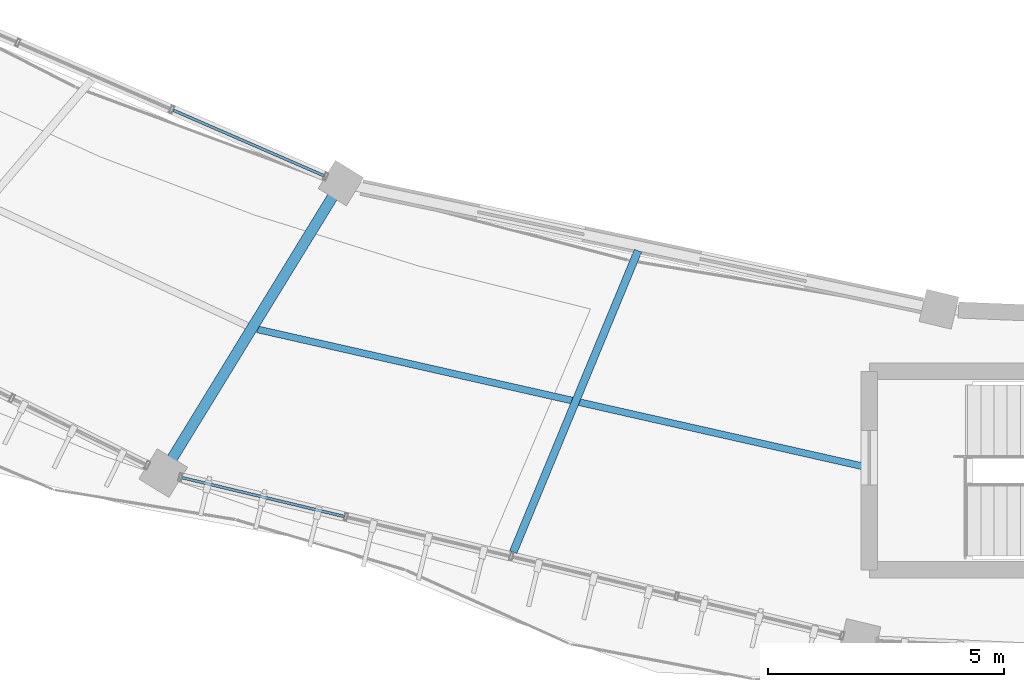
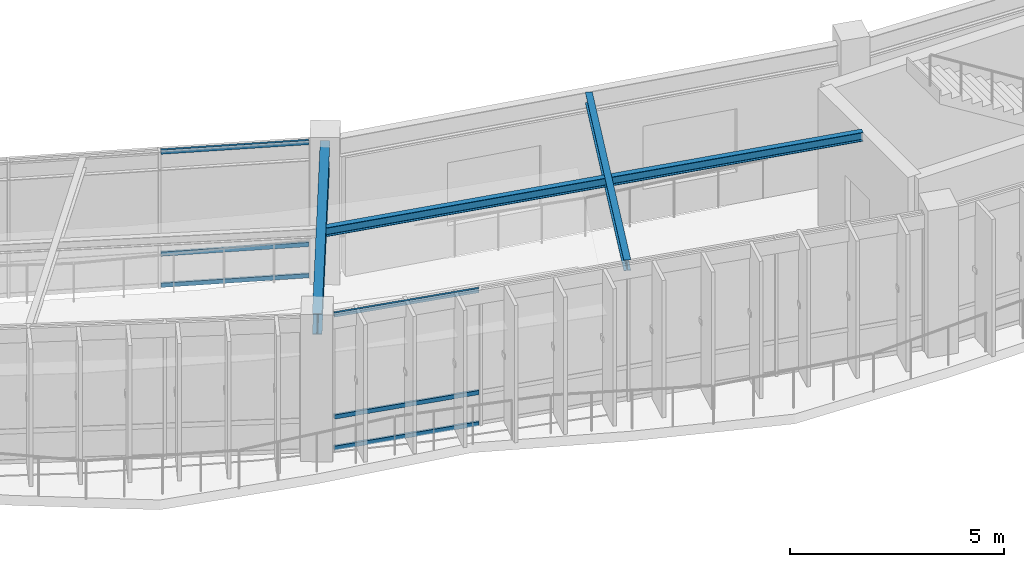
# One storey, part 61 of 152: 6 members, 3 beams, 2 elements without a shape of their own.
"""IFC4 building model written with IfcOpenShell, lengths in metres."""

from ifc_helpers import new_model, si_unit, direction, frame, origin, origin_2d, place, context, subcontext, project, spatial, hollow_rectangle, i_section, extrude, material, material_profile, profile_set, type_object, element, aggregate, save


model = new_model("IFC4")

# Units and contexts
model_context = context("Model", 3, precision=1e-05, world=origin(), true_north=direction((0.0, 1.0)))
body_context = subcontext(model_context, "Body", "Model", "MODEL_VIEW")
ifc_project = project(units=[si_unit("LENGTHUNIT", "METRE"), si_unit("AREAUNIT", "SQUARE_METRE"), si_unit("VOLUMEUNIT", "CUBIC_METRE"), si_unit("PLANEANGLEUNIT", "RADIAN"), si_unit("MASSUNIT", "GRAM", prefix="KILO"), si_unit("THERMODYNAMICTEMPERATUREUNIT", "KELVIN"), si_unit("POWERUNIT", "WATT")], contexts=[model_context])

# Site, building, storey
site_placement = place(None, origin())
site = spatial("IfcSite", under=ifc_project, at=site_placement, CompositionType="ELEMENT")
building_placement = place(site_placement, origin())
building = spatial("IfcBuilding", under=site, at=building_placement, Name="Darbajah Civic Hall", CompositionType="ELEMENT")
storey_placement = place(building_placement, frame((0.0, 0.0, 5.39990234375)))
storey = spatial("IfcBuildingStorey", under=building, at=storey_placement, Name="L01", CompositionType="ELEMENT", Elevation=5.39990234375)

# Curtain wall, members
ifc_material_1 = material(Name="Anodised Bronze Aluminium and Low-E Glazing", Category="aluminium")
curtain_wall_type_1 = type_object("IfcCurtainWallType", Name="Unitised Curtain Wall CW-19 10700x3900", PredefinedType="USERDEFINED", material=ifc_material_1)
curtain_wall_1_placement = place(storey_placement, origin())
curtain_wall_1 = element("IfcCurtainWall", 1, at=curtain_wall_1_placement, inside=storey, type_object=curtain_wall_type_1, Name="L01 unitised curtain wall CW-V1I-L01-12", ObjectType="UNITISED CURTAIN WALL", PredefinedType="USERDEFINED")
ifc_material_2 = material(Name="Anodised Bronze Aluminium", Category="aluminium")
ifc_material_profile_1 = material_profile(ifc_material_2, hollow_rectangle(XDim=0.06005859375, YDim=0.1201171875, WallThickness=0.003173828125, at=origin_2d()), Name="ALU TRANSOM 60x120")
ifc_profile_set_1 = profile_set([ifc_material_profile_1], Name="Anodised Bronze Aluminium")
member_type = type_object("IfcMemberType", Name="ALU TRANSOM 60x120", PredefinedType="USERDEFINED", material=ifc_profile_set_1)
member_1_placement = place(storey_placement, frame((62.66552734375, 72.329345703125, 0.06005859375), z_axis=(0.91705111066, -0.398769683448, 0.0), x_axis=(0.398769683448, 0.91705111066, 0.0)))
member_1 = element("IfcMember", 2, at=member_1_placement, type_object=member_type, Name="CW-V1I-L01-12 transom 3.1", ObjectType="TRANSOM", PredefinedType="USERDEFINED", context=body_context, shape_type="SweptSolid", body=[
    extrude(hollow_rectangle(XDim=0.06005859375, YDim=0.1201171875, WallThickness=0.003173828125, at=origin_2d()), origin(), (0.0, 0.0, 1.0), 3.48291015625),
])
member_2_placement = place(storey_placement, frame((62.66552734375, 72.329345703125, 0.9501953125), z_axis=(0.91705111066, -0.398769683448, 0.0), x_axis=(0.398769683448, 0.91705111066, 0.0)))
member_2 = element("IfcMember", 3, at=member_2_placement, type_object=member_type, Name="CW-V1I-L01-12 transom 3.2", ObjectType="TRANSOM", PredefinedType="USERDEFINED", context=body_context, shape_type="SweptSolid", body=[
    extrude(hollow_rectangle(XDim=0.06005859375, YDim=0.1201171875, WallThickness=0.003173828125, at=origin_2d()), origin(), (0.0, 0.0, 1.0), 3.48291015625),
])
member_3_placement = place(storey_placement, frame((62.66552734375, 72.329345703125, 3.860107421875), z_axis=(0.91705111066, -0.398769683448, 0.0), x_axis=(0.398769683448, 0.91705111066, 0.0)))
member_3 = element("IfcMember", 4, at=member_3_placement, type_object=member_type, Name="CW-V1I-L01-12 transom 3.3", ObjectType="TRANSOM", PredefinedType="USERDEFINED", context=body_context, shape_type="SweptSolid", body=[
    extrude(hollow_rectangle(XDim=0.06005859375, YDim=0.1201171875, WallThickness=0.003173828125, at=origin_2d()), origin(), (0.0, 0.0, 1.0), 3.48291015625),
])
aggregate(curtain_wall_1, [member_1, member_2, member_3])

curtain_wall_type_2 = type_object("IfcCurtainWallType", Name="Unitised Curtain Wall CW-31 14400x3900", PredefinedType="USERDEFINED", material=ifc_material_1)
curtain_wall_2_placement = place(storey_placement, origin())
curtain_wall_2 = element("IfcCurtainWall", 5, at=curtain_wall_2_placement, inside=storey, type_object=curtain_wall_type_2, Name="L01 unitised curtain wall CW-V1O-L01-13", ObjectType="UNITISED CURTAIN WALL", PredefinedType="USERDEFINED")
member_4_placement = place(storey_placement, frame((62.853271484375, 64.551025390625, 0.06005859375), z_axis=(0.97249451467, -0.232925779889, 0.0), x_axis=(0.232925779889, 0.97249451467, 0.0)))
member_4 = element("IfcMember", 6, at=member_4_placement, type_object=member_type, Name="CW-V1O-L01-13 transom 1.1", ObjectType="TRANSOM", PredefinedType="USERDEFINED", context=body_context, shape_type="SweptSolid", body=[
    extrude(hollow_rectangle(XDim=0.06005859375, YDim=0.1201171875, WallThickness=0.003173828125, at=origin_2d()), origin(), (0.0, 0.0, 1.0), 3.53125),
])
member_5_placement = place(storey_placement, frame((62.853271484375, 64.551025390625, 0.9501953125), z_axis=(0.97249451467, -0.232925779889, 0.0), x_axis=(0.232925779889, 0.97249451467, 0.0)))
member_5 = element("IfcMember", 7, at=member_5_placement, type_object=member_type, Name="CW-V1O-L01-13 transom 1.2", ObjectType="TRANSOM", PredefinedType="USERDEFINED", context=body_context, shape_type="SweptSolid", body=[
    extrude(hollow_rectangle(XDim=0.06005859375, YDim=0.1201171875, WallThickness=0.003173828125, at=origin_2d()), origin(), (0.0, 0.0, 1.0), 3.53125),
])
member_6_placement = place(storey_placement, frame((62.853271484375, 64.551025390625, 3.860107421875), z_axis=(0.97249451467, -0.232925779889, 0.0), x_axis=(0.232925779889, 0.97249451467, 0.0)))
member_6 = element("IfcMember", 8, at=member_6_placement, type_object=member_type, Name="CW-V1O-L01-13 transom 1.3", ObjectType="TRANSOM", PredefinedType="USERDEFINED", context=body_context, shape_type="SweptSolid", body=[
    extrude(hollow_rectangle(XDim=0.06005859375, YDim=0.1201171875, WallThickness=0.003173828125, at=origin_2d()), origin(), (0.0, 0.0, 1.0), 3.53125),
])
aggregate(curtain_wall_2, [member_4, member_5, member_6])

# Beams
ifc_material_3 = material(Name="Steel S355JR", Category="steel")
ifc_material_profile_2 = material_profile(ifc_material_3, i_section(OverallWidth=0.146484375, OverallDepth=0.256103515625, WebThickness=0.00634765625, FlangeThickness=0.010986328125, FilletRadius=0.007568359375, at=origin_2d()), Name="UB 254x146x37")
ifc_profile_set_2 = profile_set([ifc_material_profile_2], Name="Steel S355JR")
beam_type_1 = type_object("IfcBeamType", Name="UB 254x146x37", PredefinedType="JOIST", material=ifc_profile_set_2)
beam_1_placement = place(storey_placement, frame((64.44677734375, 67.69091796875, 3.7919921875), z_axis=(0.975333080849, -0.220738264473, 0.0), x_axis=(0.220738264473, 0.975333080849, 0.0)))
element("IfcBeam", 9, at=beam_1_placement, inside=storey, type_object=beam_type_1, Name="L01 beam SJ-254", PredefinedType="JOIST", context=body_context, shape_type="SweptSolid", body=[
    extrude(i_section(OverallWidth=0.146484375, OverallDepth=0.256103515625, WebThickness=0.00634765625, FlangeThickness=0.010986328125, FilletRadius=0.007568359375, at=origin_2d()), origin(), (0.0, 0.0, 1.0), 13.13720703125),
])
ifc_material_profile_3 = material_profile(ifc_material_3, i_section(OverallWidth=0.165771484375, OverallDepth=0.306640625, WebThickness=0.006591796875, FlangeThickness=0.01171875, FilletRadius=0.0087890625, at=origin_2d()), Name="UB 305x165x46")
ifc_profile_set_3 = profile_set([ifc_material_profile_3], Name="Steel S355JR")
beam_type_2 = type_object("IfcBeamType", Name="UB 305x165x46", PredefinedType="JOIST", material=ifc_profile_set_3)
beam_2_placement = place(storey_placement, frame((72.50439453125, 69.353271484375, 3.766845703125), z_axis=(-0.382685995053, -0.923878471007, 0.0), x_axis=(0.923878471007, -0.382685995053, 0.0)))
element("IfcBeam", 10, at=beam_2_placement, inside=storey, type_object=beam_type_2, Name="L01 beam SJ-305", PredefinedType="JOIST", context=body_context, shape_type="SweptSolid", body=[
    extrude(i_section(OverallWidth=0.165771484375, OverallDepth=0.306640625, WebThickness=0.006591796875, FlangeThickness=0.01171875, FilletRadius=0.0087890625, at=origin_2d()), origin(), (0.0, 0.0, 1.0), 6.9033203125),
])
ifc_material_profile_4 = material_profile(ifc_material_3, i_section(OverallWidth=0.228271484375, OverallDepth=0.607666015625, WebThickness=0.010986328125, FlangeThickness=0.017333984375, FilletRadius=0.0126953125, at=origin_2d()), Name="UB 610x229x113")
ifc_profile_set_4 = profile_set([ifc_material_profile_4], Name="Steel S355JR")
beam_type_3 = type_object("IfcBeamType", Name="UB 610x229x113", PredefinedType="BEAM", material=ifc_profile_set_4)
beam_3_placement = place(storey_placement, frame((66.1728515625, 70.718017578125, 3.6162109375), z_axis=(-0.522500254411, -0.852639128905, 0.0), x_axis=(0.852639128905, -0.522500254411, 0.0)))
element("IfcBeam", 11, at=beam_3_placement, inside=storey, type_object=beam_type_3, Name="L01 beam SB-610", PredefinedType="BEAM", context=body_context, shape_type="SweptSolid", body=[
    extrude(i_section(OverallWidth=0.228271484375, OverallDepth=0.607666015625, WebThickness=0.010986328125, FlangeThickness=0.017333984375, FilletRadius=0.0126953125, at=origin_2d()), origin(), (0.0, 0.0, 1.0), 7.0400390625),
])

save(model, "model.ifc")
